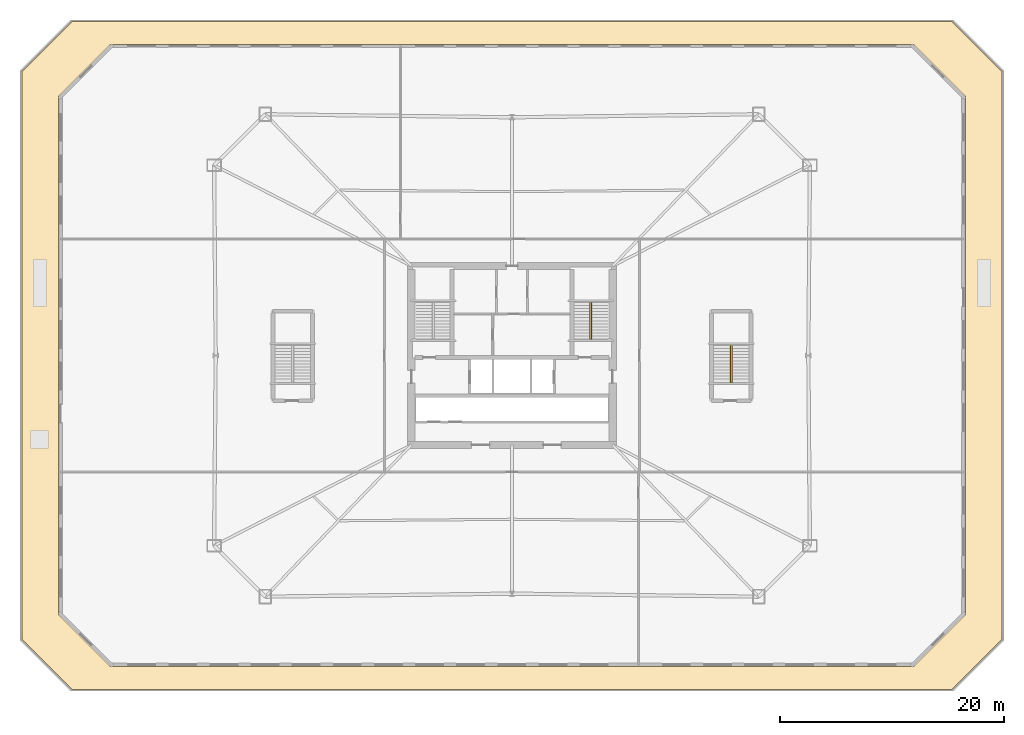
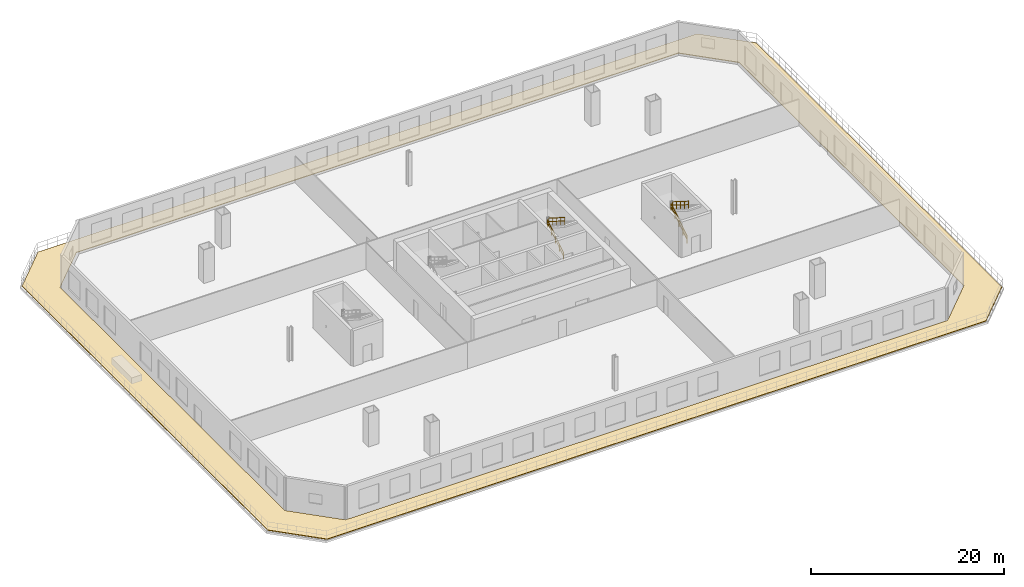
# One storey, part 8 of 9: 4 railings, 1 covering.
"""IFC4 building model written with IfcOpenShell, lengths in metres."""

from ifc_helpers import new_model, si_unit, direction, frame, origin, origin_2d, place, context, subcontext, project, spatial, polyline, circle, outline, extrude, material, layer, layer_set, type_object, element, save


model = new_model("IFC4")

# Units and contexts
model_context = context("Model", 3, precision=1e-05, world=origin(), true_north=direction((0.0, 1.0)))
body_context = subcontext(model_context, "Body", "Model", "MODEL_VIEW")
ifc_project = project(units=[si_unit("LENGTHUNIT", "METRE"), si_unit("AREAUNIT", "SQUARE_METRE"), si_unit("VOLUMEUNIT", "CUBIC_METRE"), si_unit("PLANEANGLEUNIT", "RADIAN"), si_unit("MASSUNIT", "GRAM", prefix="KILO")], contexts=[model_context])

# Site, building, storey
site_placement = place(None, origin())
site = spatial("IfcSite", under=ifc_project, at=site_placement, CompositionType="ELEMENT")
building_placement = place(site_placement, origin())
building = spatial("IfcBuilding", under=site, at=building_placement, Name="Caelvoria Tower", CompositionType="ELEMENT")
storey_placement = place(building_placement, frame((0.0, 0.0, 5.0)))
storey = spatial("IfcBuildingStorey", under=building, at=storey_placement, Name="L01", CompositionType="ELEMENT", Elevation=5.0)

# Railings
ifc_material_1 = material(Name="Brushed Stainless Steel Tube", Category="steel")
railing_type = type_object("IfcRailingType", Name="Stair Tubular Stainless Handrail 920", PredefinedType="HANDRAIL", material=ifc_material_1)
railing_1_placement = place(storey_placement, frame((52.969970703125, 33.449951171875, 0.173095703125)))
element("IfcRailing", 1, at=railing_1_placement, inside=storey, type_object=railing_type, Name="ST-02 Flight 1 Handrail L01", PredefinedType="HANDRAIL", context=body_context, shape_type="SweptSolid", body=[
    extrude(circle(Radius=0.02392578125, at=origin_2d()), frame((0.0, 0.0, 0.89599609375), z_axis=(0.0, 0.846337383501, 0.532647194011), x_axis=(-1.0, 0.0, 0.0)), (0.0, 0.0, 1.0), 3.899169921875),
    extrude(circle(Radius=0.02392578125, at=origin_2d()), frame((0.0, 0.0, 0.4599609375), z_axis=(0.0, 0.846337383501, 0.532647194011), x_axis=(-1.0, 0.0, 0.0)), (0.0, 0.0, 1.0), 3.899169921875),
    extrude(circle(Radius=0.02099609375, at=origin_2d()), origin(), (0.0, 0.0, 1.0), 0.871826171875),
    extrude(circle(Radius=0.02099609375, at=origin_2d()), frame((0.0, 0.824951171875, 0.519287109375)), (0.0, 0.0, 1.0), 0.871826171875),
    extrude(circle(Radius=0.02099609375, at=origin_2d()), frame((0.0, 1.64990234375, 1.03857421875)), (0.0, 0.0, 1.0), 0.871826171875),
    extrude(circle(Radius=0.02099609375, at=origin_2d()), frame((0.0, 2.47509765625, 1.5576171875)), (0.0, 0.0, 1.0), 0.871826171875),
    extrude(circle(Radius=0.02099609375, at=origin_2d()), frame((0.0, 3.300048828125, 2.076904296875)), (0.0, 0.0, 1.0), 0.871826171875),
])
railing_2_placement = place(storey_placement, frame((53.1298828125, 36.75, 2.423095703125)))
element("IfcRailing", 2, at=railing_2_placement, inside=storey, type_object=railing_type, Name="ST-02 Flight 2 Handrail L01", PredefinedType="HANDRAIL", context=body_context, shape_type="SweptSolid", body=[
    extrude(circle(Radius=0.02392578125, at=origin_2d()), frame((0.0, 0.0, 0.89599609375), z_axis=(0.0, -0.846337383501, 0.532647194011), x_axis=(1.0, 0.0, 0.0)), (0.0, 0.0, 1.0), 3.899169921875),
    extrude(circle(Radius=0.02392578125, at=origin_2d()), frame((0.0, 0.0, 0.4599609375), z_axis=(0.0, -0.846337383501, 0.532647194011), x_axis=(1.0, 0.0, 0.0)), (0.0, 0.0, 1.0), 3.899169921875),
    extrude(circle(Radius=0.02099609375, at=origin_2d()), origin(), (0.0, 0.0, 1.0), 0.871826171875),
    extrude(circle(Radius=0.02099609375, at=origin_2d()), frame((0.0, -0.824951171875, 0.519287109375)), (0.0, 0.0, 1.0), 0.871826171875),
    extrude(circle(Radius=0.02099609375, at=origin_2d()), frame((0.0, -1.64990234375, 1.03857421875)), (0.0, 0.0, 1.0), 0.871826171875),
    extrude(circle(Radius=0.02099609375, at=origin_2d()), frame((0.0, -2.47509765625, 1.5576171875)), (0.0, 0.0, 1.0), 0.871826171875),
    extrude(circle(Radius=0.02099609375, at=origin_2d()), frame((0.0, -3.300048828125, 2.076904296875)), (0.0, 0.0, 1.0), 0.871826171875),
])
railing_3_placement = place(storey_placement, frame((65.52001953125, 29.60009765625, 0.173095703125)))
element("IfcRailing", 3, at=railing_3_placement, inside=storey, type_object=railing_type, Name="ST-04 Flight 1 Handrail L01", PredefinedType="HANDRAIL", context=body_context, shape_type="SweptSolid", body=[
    extrude(circle(Radius=0.02392578125, at=origin_2d()), frame((0.0, 0.0, 0.89599609375), z_axis=(0.0, 0.846319618018, 0.532675421018), x_axis=(-1.0, 0.0, 0.0)), (0.0, 0.0, 1.0), 3.89892578125),
    extrude(circle(Radius=0.02392578125, at=origin_2d()), frame((0.0, 0.0, 0.4599609375), z_axis=(0.0, 0.846319618018, 0.532675421018), x_axis=(-1.0, 0.0, 0.0)), (0.0, 0.0, 1.0), 3.89892578125),
    extrude(circle(Radius=0.02099609375, at=origin_2d()), origin(), (0.0, 0.0, 1.0), 0.871826171875),
    extrude(circle(Radius=0.02099609375, at=origin_2d()), frame((0.0, 0.824951171875, 0.519287109375)), (0.0, 0.0, 1.0), 0.871826171875),
    extrude(circle(Radius=0.02099609375, at=origin_2d()), frame((0.0, 1.64990234375, 1.03857421875)), (0.0, 0.0, 1.0), 0.871826171875),
    extrude(circle(Radius=0.02099609375, at=origin_2d()), frame((0.0, 2.474853515625, 1.5576171875)), (0.0, 0.0, 1.0), 0.871826171875),
    extrude(circle(Radius=0.02099609375, at=origin_2d()), frame((0.0, 3.2998046875, 2.076904296875)), (0.0, 0.0, 1.0), 0.871826171875),
])
railing_4_placement = place(storey_placement, frame((65.679931640625, 32.89990234375, 2.423095703125)))
element("IfcRailing", 4, at=railing_4_placement, inside=storey, type_object=railing_type, Name="ST-04 Flight 2 Handrail L01", PredefinedType="HANDRAIL", context=body_context, shape_type="SweptSolid", body=[
    extrude(circle(Radius=0.02392578125, at=origin_2d()), frame((0.0, 0.0, 0.89599609375), z_axis=(0.0, -0.846319618018, 0.532675421018), x_axis=(1.0, 0.0, 0.0)), (0.0, 0.0, 1.0), 3.89892578125),
    extrude(circle(Radius=0.02392578125, at=origin_2d()), frame((0.0, 0.0, 0.4599609375), z_axis=(0.0, -0.846319618018, 0.532675421018), x_axis=(1.0, 0.0, 0.0)), (0.0, 0.0, 1.0), 3.89892578125),
    extrude(circle(Radius=0.02099609375, at=origin_2d()), origin(), (0.0, 0.0, 1.0), 0.871826171875),
    extrude(circle(Radius=0.02099609375, at=origin_2d()), frame((0.0, -0.824951171875, 0.519287109375)), (0.0, 0.0, 1.0), 0.871826171875),
    extrude(circle(Radius=0.02099609375, at=origin_2d()), frame((0.0, -1.64990234375, 1.03857421875)), (0.0, 0.0, 1.0), 0.871826171875),
    extrude(circle(Radius=0.02099609375, at=origin_2d()), frame((0.0, -2.474853515625, 1.5576171875)), (0.0, 0.0, 1.0), 0.871826171875),
    extrude(circle(Radius=0.02099609375, at=origin_2d()), frame((0.0, -3.2998046875, 2.076904296875)), (0.0, 0.0, 1.0), 0.871826171875),
])

# Covering
ifc_material_2 = material(Name="SBS Waterproofing Membrane and Extruded Insulation", Category="bitumen")
ifc_layer = layer(ifc_material_2, 0.1201171875, Name="SBS Waterproofing Membrane and Extruded Insulation")
ifc_layer_set = layer_set([ifc_layer], Name="Terrace Insulated Waterproof Roofing Membrane 120 - SBS Waterproofing Membrane and Extruded Insulation")
covering_type = type_object("IfcCoveringType", Name="Terrace Insulated Waterproof Roofing Membrane 120", PredefinedType="ROOFING", material=ifc_layer_set)
covering_placement = place(storey_placement, origin())
element("IfcCovering", 5, at=covering_placement, inside=storey, type_object=covering_type, Name="Terraced Podium Waterproof Roofing L01", PredefinedType="ROOFING", context=body_context, shape_type="SweptSolid", body=[
    extrude(outline(polyline([(6.67529296875, 2.133056640625), (85.32470703125, 2.133056640625), (89.809814453125, 6.6103515625), (89.809814453125, 57.3896484375), (85.32470703125, 61.866943359375), (6.67529296875, 61.866943359375), (2.190185546875, 57.3896484375), (2.190185546875, 6.6103515625), (6.67529296875, 2.133056640625)]), holes=[polyline([(5.46533203125, 8.780029296875), (5.46533203125, 55.219970703125), (10.068359375, 59.824462890625), (81.931640625, 59.824462890625), (86.53466796875, 55.219970703125), (86.53466796875, 8.780029296875), (81.931640625, 4.175537109375), (10.068359375, 4.175537109375), (5.46533203125, 8.780029296875)])]), origin(), (0.0, 0.0, 1.0), 0.080078125),
])

save(model, "model.ifc")
